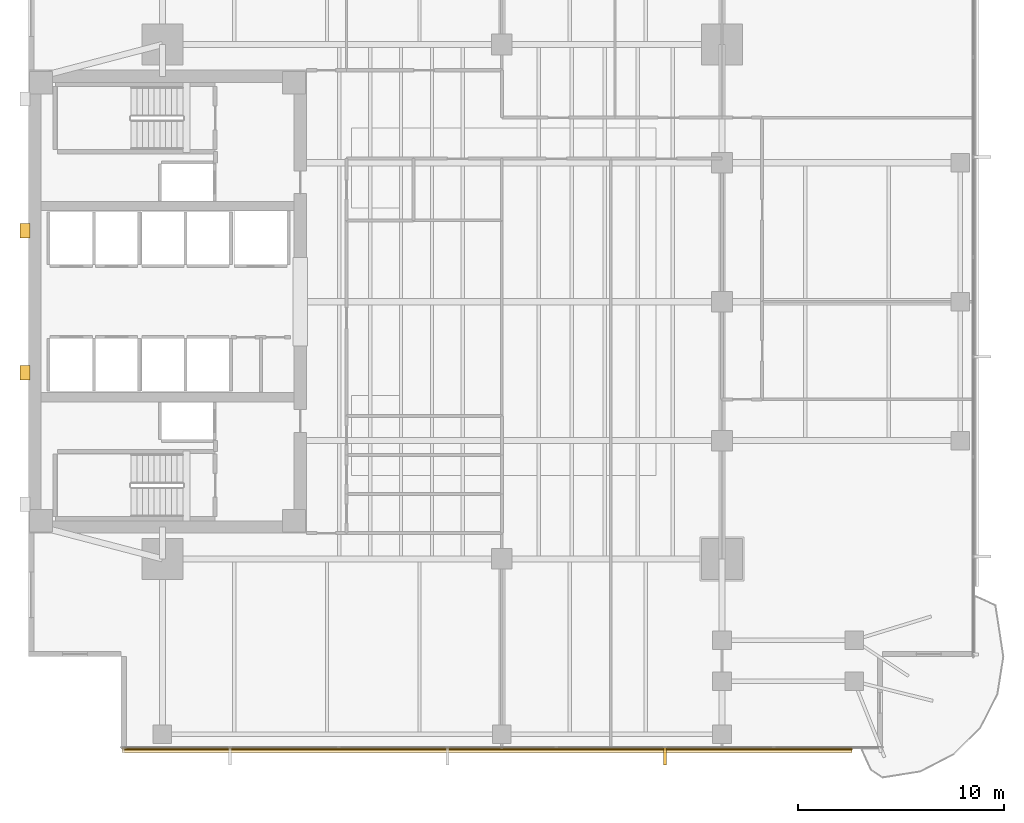
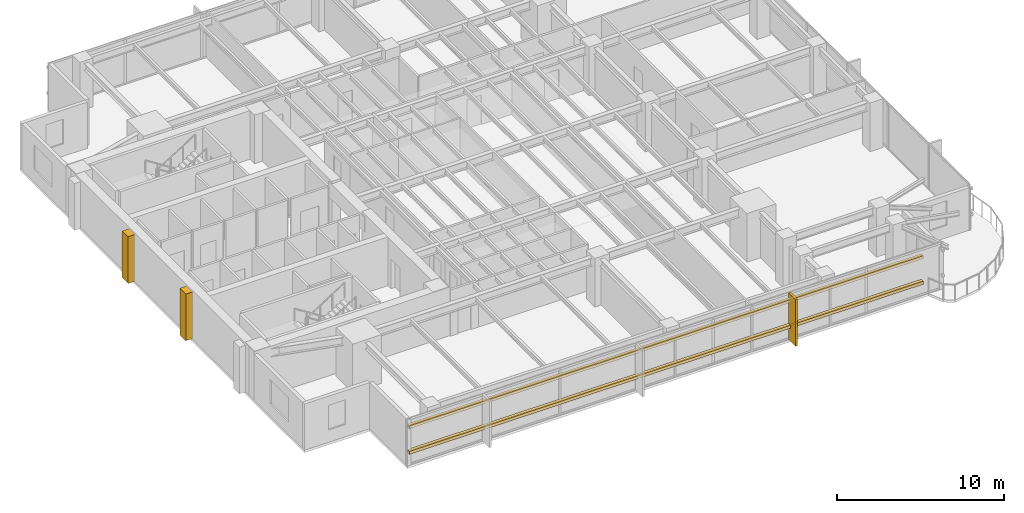
# One storey, part 12 of 14: 5 coverings, 2 shading devices.
"""IFC4 building model written with IfcOpenShell, lengths in metres."""

from ifc_helpers import new_model, si_unit, direction, frame, origin, origin_2d, place, context, subcontext, project, spatial, polyline, rectangle, outline, extrude, material, layer, layer_set, material_profile, profile_set, type_object, element, save


model = new_model("IFC4")

# Units and contexts
model_context = context("Model", 3, precision=1e-05, world=origin(), true_north=direction((0.0, 1.0)))
body_context = subcontext(model_context, "Body", "Model", "MODEL_VIEW")
ifc_project = project(units=[si_unit("LENGTHUNIT", "METRE"), si_unit("AREAUNIT", "SQUARE_METRE"), si_unit("VOLUMEUNIT", "CUBIC_METRE"), si_unit("PLANEANGLEUNIT", "RADIAN"), si_unit("MASSUNIT", "GRAM", prefix="KILO")], contexts=[model_context])

# Site, building, storey
site_placement = place(None, origin())
site = spatial("IfcSite", under=ifc_project, at=site_placement, CompositionType="ELEMENT")
building_placement = place(site_placement, origin())
building = spatial("IfcBuilding", under=site, at=building_placement, Name="Kinhvarn Gate Tower", CompositionType="ELEMENT")
storey_placement = place(building_placement, frame((0.0, 0.0, 116.449951171875)))
storey = spatial("IfcBuildingStorey", under=building, at=storey_placement, Name="L30", CompositionType="ELEMENT", Elevation=116.449951171875)

# Coverings
ifc_material_1 = material(Name="Fired architectural terracotta", Category="masonry")
ifc_layer_1 = layer(ifc_material_1, 0.239990234375)
ifc_layer_set_1 = layer_set([ifc_layer_1], Name="Fired architectural terracotta")
covering_type_1 = type_object("IfcCoveringType", Name="COV-BAG-220", PredefinedType="CLADDING", material=ifc_layer_set_1)
covering_1_placement = place(storey_placement, frame((0.0, 0.0, 0.93994140625)))
element("IfcCovering", 1, at=covering_1_placement, inside=storey, type_object=covering_type_1, Name="Terracotta Horizontal Sunscreen Band TBG-220 (L30)", PredefinedType="CLADDING", context=body_context, shape_type="SweptSolid", body=[
    extrude(outline(polyline([(9.0400390625, 3.570068359375), (44.52001953125, 3.570068359375), (44.52001953125, 3.330078125), (9.0400390625, 3.330078125), (9.0400390625, 3.570068359375)])), origin(), (0.0, 0.0, 1.0), 0.22021484375),
])
covering_2_placement = place(storey_placement, frame((0.0, 0.0, 2.81005859375)))
element("IfcCovering", 2, at=covering_2_placement, inside=storey, type_object=covering_type_1, Name="Terracotta Horizontal Sunscreen Band TBG-220 (L30)", PredefinedType="CLADDING", context=body_context, shape_type="SweptSolid", body=[
    extrude(outline(polyline([(9.0400390625, 3.570068359375), (44.52001953125, 3.570068359375), (44.52001953125, 3.330078125), (9.0400390625, 3.330078125), (9.0400390625, 3.570068359375)])), origin(), (0.0, 0.0, 1.0), 0.219970703125),
])
ifc_layer_2 = layer(ifc_material_1, 0.139892578125)
ifc_layer_set_2 = layer_set([ifc_layer_2], Name="Fired architectural terracotta")
covering_type_2 = type_object("IfcCoveringType", Name="COV-FIN-850", PredefinedType="CLADDING", material=ifc_layer_set_2)
covering_3_placement = place(storey_placement, frame((0.0, 0.0, -0.02001953125)))
element("IfcCovering", 3, at=covering_3_placement, inside=storey, type_object=covering_type_2, Name="Vertical Terracotta Expressive Fin TFN-850 (L30)", PredefinedType="CLADDING", context=body_context, shape_type="SweptSolid", body=[
    extrude(outline(polyline([(35.358642578125, 3.580078125), (35.49853515625, 3.580078125), (35.49853515625, 2.72998046875), (35.358642578125, 2.72998046875), (35.358642578125, 3.580078125)])), origin(), (0.0, 0.0, 1.0), 3.41015625),
])
ifc_material_2 = material(Name="Precast white architectural concrete C40/50", Category="concrete")
ifc_layer_3 = layer(ifc_material_2, 0.47998046875)
ifc_layer_set_3 = layer_set([ifc_layer_3], Name="Precast white architectural concrete C40/50")
covering_type_3 = type_object("IfcCoveringType", Name="COV-RIB-450", PredefinedType="CLADDING", material=ifc_layer_set_3)
covering_4_placement = place(storey_placement, frame((0.0, 0.0, -0.02001953125)))
element("IfcCovering", 4, at=covering_4_placement, inside=storey, type_object=covering_type_3, Name="West Core Sculptural Concrete Relief Rib CRB-450 (L30)", PredefinedType="CLADDING", context=body_context, shape_type="SweptSolid", body=[
    extrude(outline(polyline([(4.080078125, 21.449951171875), (4.56005859375, 21.449951171875), (4.56005859375, 22.14990234375), (4.080078125, 22.14990234375), (4.080078125, 21.449951171875)])), origin(), (0.0, 0.0, 1.0), 3.41015625),
])
covering_5_placement = place(storey_placement, frame((0.0, 0.0, -0.02001953125)))
element("IfcCovering", 5, at=covering_5_placement, inside=storey, type_object=covering_type_3, Name="West Core Sculptural Concrete Relief Rib CRB-450 (L30)", PredefinedType="CLADDING", context=body_context, shape_type="SweptSolid", body=[
    extrude(outline(polyline([(4.080078125, 28.35009765625), (4.56005859375, 28.35009765625), (4.56005859375, 29.050048828125), (4.080078125, 29.050048828125), (4.080078125, 28.35009765625)])), origin(), (0.0, 0.0, 1.0), 3.41015625),
])

# Shading devices
ifc_material_profile = material_profile(ifc_material_1, rectangle(XDim=0.050048828125, YDim=0.1201171875, at=origin_2d()), Name="TC 50x120")
ifc_profile_set = profile_set([ifc_material_profile], Name="Fired architectural terracotta")
shading_device_type = type_object("IfcShadingDeviceType", Name="SHD-BAG-140", PredefinedType="USERDEFINED", material=ifc_profile_set)
for number, where, z_axis, x_axis, name in (
    (6, (9.0400390625, 3.5, 1.050048828125), (1.0, 0.0, 0.0), (0.0, 1.0, 0.0), "Upper Tower Terracotta Baguette Screen Rod 50x120 mm (L30)"),
    (7, (9.0400390625, 3.5, 2.920166015625), (1.0, 0.0, 0.0), (0.0, 1.0, 0.0), "Upper Tower Terracotta Baguette Screen Rod 50x120 mm (L30)"),
):
    element("IfcShadingDevice", number, at=place(storey_placement, frame(where, z_axis=z_axis, x_axis=x_axis)), inside=storey, type_object=shading_device_type, Name=name, ObjectType="BAGUETTE", PredefinedType="USERDEFINED", context=body_context, shape_type="SweptSolid", body=[
        extrude(rectangle(XDim=0.050048828125, YDim=0.1201171875, at=origin_2d()), origin(), (0.0, 0.0, 1.0), 35.47998046875),
    ])

save(model, "model.ifc")
